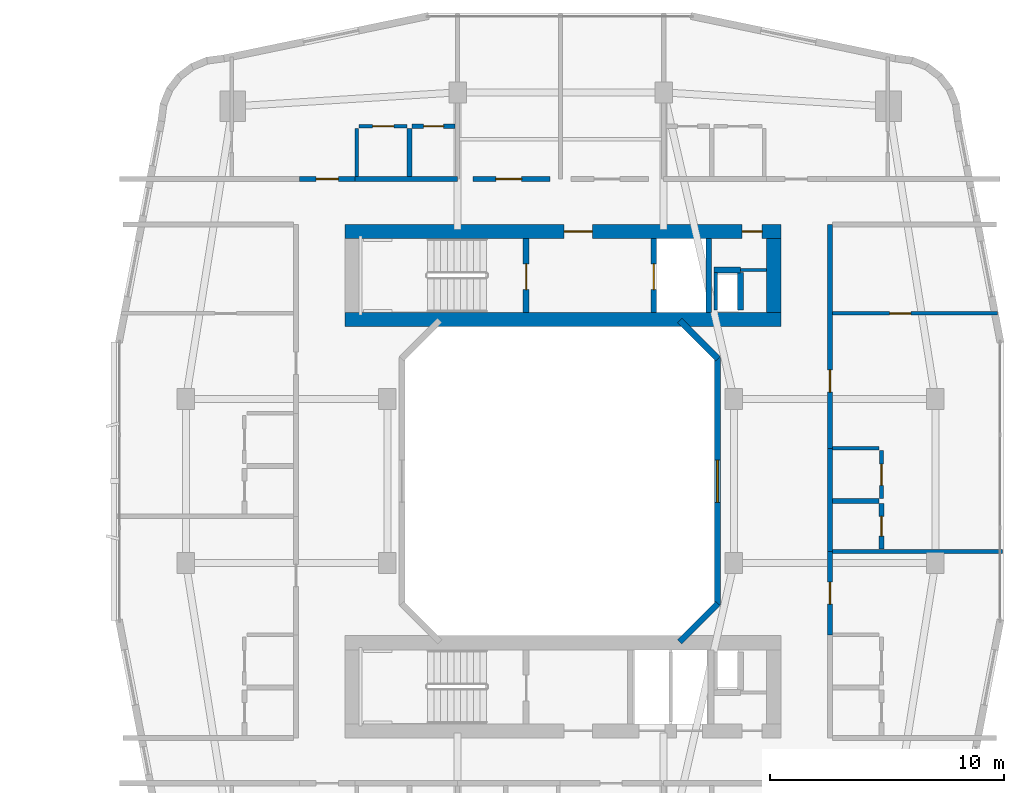
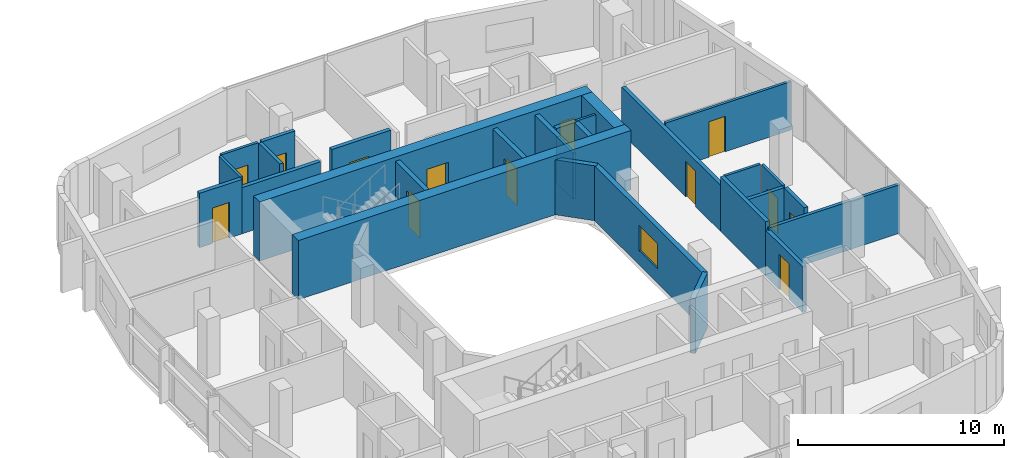
# One storey, part 20 of 27: 29 walls, 13 doors, 1 window, 14 openings.
"""IFC4 building model written with IfcOpenShell, lengths in metres."""

from ifc_helpers import new_model, si_unit, derived_unit, direction, frame, frame_2d, origin, place, context, subcontext, project, spatial, rectangle, extrude, material, layer, layer_set, type_object, element, fill, save


model = new_model("IFC4")

# Units and contexts
model_context = context("Model", 3, precision=1e-05, world=origin(), true_north=direction((0.0, 1.0)))
body_context = subcontext(model_context, "Body", "Model", "MODEL_VIEW")
ifc_project = project(units=[si_unit("LENGTHUNIT", "METRE"), si_unit("AREAUNIT", "SQUARE_METRE"), si_unit("VOLUMEUNIT", "CUBIC_METRE"), si_unit("PLANEANGLEUNIT", "RADIAN"), si_unit("MASSUNIT", "GRAM", prefix="KILO"), derived_unit("THERMALTRANSMITTANCEUNIT", [(si_unit("POWERUNIT", "WATT"), 1), (si_unit("LENGTHUNIT", "METRE"), -2), (si_unit("THERMODYNAMICTEMPERATUREUNIT", "KELVIN"), -1)])], contexts=[model_context])

# Site, building, storey
site_placement = place(None, origin())
site = spatial("IfcSite", under=ifc_project, at=site_placement, CompositionType="ELEMENT")
building_placement = place(site_placement, origin())
building = spatial("IfcBuilding", under=site, at=building_placement, Name="Kivonza Crest Hotel", CompositionType="ELEMENT")
storey_placement = place(building_placement, frame((0.0, 0.0, 41.5)))
storey = spatial("IfcBuildingStorey", under=building, at=storey_placement, Name="L10", CompositionType="ELEMENT", Elevation=41.5)

# Walls
ifc_material_1 = material(Name="High-density acoustic masonry inter-tenancy wall", Category="masonry")
ifc_layer_1 = layer(ifc_material_1, 0.179931640625)
ifc_layer_set_1 = layer_set([ifc_layer_1], Name="High-density acoustic masonry inter-tenancy wall")
wall_type_1 = type_object("IfcWallType", Name="WL-ACOU-180", PredefinedType="SOLIDWALL", material=ifc_layer_set_1)
wall_1_placement = place(storey_placement, frame((88.5, 22.0, 0.0), z_axis=(0.0, 0.0, 1.0), x_axis=(1.0, 0.0, 0.0)))
element("IfcWall", 1, at=wall_1_placement, inside=storey, type_object=wall_type_1, Name="L10 interior partition WA-L10-T2E-DIV1", PredefinedType="SOLIDWALL", context=body_context, shape_type="SweptSolid", body=[
    extrude(rectangle(XDim=7.360107421875, YDim=0.179931640625, at=frame_2d((3.68017578125, 0.0))), origin(), (0.0, 0.0, 1.0), 2.864990234375),
])
ifc_material_2 = material(Name="Autoclaved aerated concrete blockwork", Category="masonry")
ifc_layer_2 = layer(ifc_material_2, 0.219970703125)
ifc_layer_set_2 = layer_set([ifc_layer_2], Name="Autoclaved aerated concrete blockwork")
wall_type_2 = type_object("IfcWallType", Name="WL-ACOU-220", PredefinedType="SOLIDWALL", material=ifc_layer_set_2)
wall_2_placement = place(storey_placement, frame((68.219970703125, 37.89990234375, 0.0), z_axis=(0.0, 0.0, 1.0), x_axis=(1.0, 0.0, 0.0)))
element("IfcWall", 2, at=wall_2_placement, inside=storey, type_object=wall_type_2, Name="L10 interior partition WA-L10-A01-RCORR", PredefinedType="SOLIDWALL", context=body_context, shape_type="SweptSolid", body=[
    extrude(rectangle(XDim=4.380126953125, YDim=0.219970703125, at=frame_2d((2.18994140625, 0.0))), origin(), (0.0, 0.0, 1.0), 2.72509765625),
])

# Wall, opening, door
wall_3_placement = place(storey_placement, frame((65.85009765625, 37.89990234375, 0.0), z_axis=(0.0, 0.0, 1.0), x_axis=(1.0, 0.0, 0.0)))
wall_3 = element("IfcWall", 3, at=wall_3_placement, inside=storey, type_object=wall_type_2, Name="L10 interior partition WA-L10-A01-MCORR", PredefinedType="SOLIDWALL", context=body_context, shape_type="SweptSolid", body=[
    extrude(rectangle(XDim=2.369873046875, YDim=0.219970703125, at=frame_2d((1.18505859375, 0.0))), origin(), (0.0, 0.0, 1.0), 3.219970703125),
])
opening_1_placement = place(wall_3_placement, frame((0.7099609375, 0.0, 0.0)))
opening_1 = element("IfcOpeningElement", 4, at=opening_1_placement, cuts=wall_3, Name="Opening DU-60", PredefinedType="OPENING", context=body_context, shape_type="SweptSolid", body=[
    extrude(rectangle(XDim=0.949951171875, YDim=2.10009765625, at=frame_2d((0.47509765625, 1.050048828125))), frame((0.0, 0.1201171875, 0.0), z_axis=(0.0, -1.0, 0.0), x_axis=(1.0, 0.0, 0.0)), (0.0, 0.0, 1.0), 0.239990234375),
])
ifc_material_3 = material(Name="Hardwood timber oak", Category="wood")
door_type_1 = type_object("IfcDoorType", Name="DR-UNIT-950", OperationType="NOTDEFINED", PredefinedType="DOOR", material=ifc_material_3)
door_1_placement = place(opening_1_placement, origin())
door_1 = element("IfcDoor", 5, at=door_1_placement, inside=storey, type_object=door_type_1, Name="L10 A01 apartment entrance fire door", OperationType="SINGLE_SWING_LEFT", OverallHeight=2.10009765625, OverallWidth=0.949951171875, PredefinedType="DOOR", context=body_context, shape_type="SweptSolid", body=[
    extrude(rectangle(XDim=0.949951171875, YDim=2.10009765625, at=frame_2d((0.47509765625, 1.050048828125))), frame((0.0, 0.02490234375, 0.0), z_axis=(0.0, -1.0, 0.0), x_axis=(1.0, 0.0, 0.0)), (0.0, 0.0, 1.0), 0.050048828125),
])
fill(opening_1, door_1)

wall_4_placement = place(storey_placement, frame((73.25, 37.89990234375, 0.0), z_axis=(0.0, 0.0, 1.0), x_axis=(1.0, 0.0, 0.0)))
wall_4 = element("IfcWall", 6, at=wall_4_placement, inside=storey, type_object=wall_type_2, Name="L10 interior partition WA-L10-T2-OFF1-S", PredefinedType="SOLIDWALL", context=body_context, shape_type="SweptSolid", body=[
    extrude(rectangle(XDim=3.300048828125, YDim=0.219970703125, at=frame_2d((1.64990234375, 0.0))), origin(), (0.0, 0.0, 1.0), 3.219970703125),
])
opening_2_placement = place(wall_4_placement, frame((0.97998046875, 0.0, 0.0)))
opening_2 = element("IfcOpeningElement", 7, at=opening_2_placement, cuts=wall_4, Name="Opening DF-60M", PredefinedType="OPENING", context=body_context, shape_type="SweptSolid", body=[
    extrude(rectangle(XDim=1.10009765625, YDim=2.10009765625, at=frame_2d((0.550048828125, 1.050048828125))), frame((0.0, 0.1201171875, 0.0), z_axis=(0.0, -1.0, 0.0), x_axis=(1.0, 0.0, 0.0)), (0.0, 0.0, 1.0), 0.239990234375),
])
door_type_2 = type_object("IfcDoorType", Name="DR-FD60-1100", OperationType="NOTDEFINED", PredefinedType="DOOR", material=ifc_material_3)
door_2_placement = place(opening_2_placement, origin())
door_2 = element("IfcDoor", 8, at=door_2_placement, inside=storey, type_object=door_type_2, Name="L10 Resident Co-Working Study West door", OperationType="SINGLE_SWING_RIGHT", OverallHeight=2.10009765625, OverallWidth=1.10009765625, PredefinedType="DOOR", context=body_context, shape_type="SweptSolid", body=[
    extrude(rectangle(XDim=1.10009765625, YDim=2.10009765625, at=frame_2d((0.550048828125, 1.050048828125))), frame((0.0, 0.02490234375, 0.0), z_axis=(0.0, -1.0, 0.0), x_axis=(1.0, 0.0, 0.0)), (0.0, 0.0, 1.0), 0.050048828125),
])
fill(opening_2, door_2)

wall_5_placement = place(storey_placement, frame((88.5, 18.43994140625, 0.0), z_axis=(0.0, 0.0, 1.0), x_axis=(0.0, 1.0, 0.0)))
wall_5 = element("IfcWall", 9, at=wall_5_placement, inside=storey, type_object=wall_type_2, Name="L10 interior partition WA-L10-A08-MCORR", PredefinedType="SOLIDWALL", context=body_context, shape_type="SweptSolid", body=[
    extrude(rectangle(XDim=3.56005859375, YDim=0.219970703125, at=frame_2d((1.780029296875, 0.0))), origin(), (0.0, 0.0, 1.0), 2.72509765625),
])
opening_3_placement = place(wall_5_placement, frame((1.304931640625, 0.0, 0.0)))
opening_3 = element("IfcOpeningElement", 10, at=opening_3_placement, cuts=wall_5, Name="Opening DU-60", PredefinedType="OPENING", context=body_context, shape_type="SweptSolid", body=[
    extrude(rectangle(XDim=0.949951171875, YDim=2.10009765625, at=frame_2d((0.47509765625, 1.050048828125))), frame((0.0, 0.1201171875, 0.0), z_axis=(0.0, -1.0, 0.0), x_axis=(1.0, 0.0, 0.0)), (0.0, 0.0, 1.0), 0.239990234375),
])
door_3_placement = place(opening_3_placement, frame((0.949951171875, 0.0, 0.0), z_axis=(0.0, 0.0, 1.0), x_axis=(-1.0, 0.0, 0.0)))
door_3 = element("IfcDoor", 11, at=door_3_placement, inside=storey, type_object=door_type_1, Name="L10 A08 apartment entrance fire door", OperationType="SINGLE_SWING_RIGHT", OverallHeight=2.10009765625, OverallWidth=0.949951171875, PredefinedType="DOOR", context=body_context, shape_type="SweptSolid", body=[
    extrude(rectangle(XDim=0.949951171875, YDim=2.10009765625, at=frame_2d((0.47509765625, 1.050048828125))), frame((0.0, 0.02490234375, 0.0), z_axis=(0.0, -1.0, 0.0), x_axis=(1.0, 0.0, 0.0)), (0.0, 0.0, 1.0), 0.050048828125),
])
fill(opening_3, door_3)

# Wall
wall_6_placement = place(storey_placement, frame((88.5, 22.0, 0.0), z_axis=(0.0, 0.0, 1.0), x_axis=(0.0, 1.0, 0.0)))
element("IfcWall", 12, at=wall_6_placement, inside=storey, type_object=wall_type_2, Name="L10 interior partition WA-L10-A09-BCORR", PredefinedType="SOLIDWALL", context=body_context, shape_type="SweptSolid", body=[
    extrude(rectangle(XDim=4.39990234375, YDim=0.219970703125, at=frame_2d((2.199951171875, 0.0))), origin(), (0.0, 0.0, 1.0), 3.219970703125),
])

# Wall, opening, door
wall_7_placement = place(storey_placement, frame((88.5, 26.39990234375, 0.0), z_axis=(0.0, 0.0, 1.0), x_axis=(0.0, 1.0, 0.0)))
wall_7 = element("IfcWall", 13, at=wall_7_placement, inside=storey, type_object=wall_type_2, Name="L10 interior partition WA-L10-A09-MCORR", PredefinedType="SOLIDWALL", context=body_context, shape_type="SweptSolid", body=[
    extrude(rectangle(XDim=9.56005859375, YDim=0.219970703125, at=frame_2d((4.780029296875, 0.0))), origin(), (0.0, 0.0, 1.0), 2.72509765625),
])
opening_4_placement = place(wall_7_placement, frame((2.405029296875, 0.0, 0.0)))
opening_4 = element("IfcOpeningElement", 14, at=opening_4_placement, cuts=wall_7, Name="Opening DU-60", PredefinedType="OPENING", context=body_context, shape_type="SweptSolid", body=[
    extrude(rectangle(XDim=0.949951171875, YDim=2.10009765625, at=frame_2d((0.47509765625, 1.050048828125))), frame((0.0, 0.1201171875, 0.0), z_axis=(0.0, -1.0, 0.0), x_axis=(1.0, 0.0, 0.0)), (0.0, 0.0, 1.0), 0.239990234375),
])
door_4_placement = place(opening_4_placement, frame((0.949951171875, 0.0, 0.0), z_axis=(0.0, 0.0, 1.0), x_axis=(-1.0, 0.0, 0.0)))
door_4 = element("IfcDoor", 15, at=door_4_placement, inside=storey, type_object=door_type_1, Name="L10 A09 apartment entrance fire door", OperationType="SINGLE_SWING_LEFT", OverallHeight=2.10009765625, OverallWidth=0.949951171875, PredefinedType="DOOR", context=body_context, shape_type="SweptSolid", body=[
    extrude(rectangle(XDim=0.949951171875, YDim=2.10009765625, at=frame_2d((0.47509765625, 1.050048828125))), frame((0.0, 0.02490234375, 0.0), z_axis=(0.0, -1.0, 0.0), x_axis=(1.0, 0.0, 0.0)), (0.0, 0.0, 1.0), 0.050048828125),
])
fill(opening_4, door_4)

# Wall
ifc_material_4 = material(Name="Concrete C60/75", Category="concrete")
ifc_layer_3 = layer(ifc_material_4, 0.60009765625)
ifc_layer_set_3 = layer_set([ifc_layer_3], Name="Concrete C60/75")
wall_type_3 = type_object("IfcWallType", Name="WL-CORE-600", PredefinedType="SHEAR", material=ifc_layer_set_3)
wall_8_placement = place(storey_placement, frame((67.800048828125, 31.89990234375, 0.0), z_axis=(0.0, 0.0, 1.0), x_axis=(1.0, 0.0, 0.0)))
element("IfcWall", 16, at=wall_8_placement, inside=storey, type_object=wall_type_3, Name="Core wall T2-N South L10", PredefinedType="SHEAR", context=body_context, shape_type="SweptSolid", body=[
    extrude(rectangle(XDim=18.599853515625, YDim=0.60009765625, at=frame_2d((9.2998046875, 0.0))), origin(), (0.0, 0.0, 1.0), 3.5),
])

# Wall, openings, doors
wall_9_placement = place(storey_placement, frame((67.800048828125, 35.659912109375, 0.0), z_axis=(0.0, 0.0, 1.0), x_axis=(1.0, 0.0, 0.0)))
wall_9 = element("IfcWall", 17, at=wall_9_placement, inside=storey, type_object=wall_type_3, Name="Core wall T2-N North L10", PredefinedType="SHEAR", context=body_context, shape_type="SweptSolid", body=[
    extrude(rectangle(XDim=18.599853515625, YDim=0.60009765625, at=frame_2d((9.2998046875, 0.0))), origin(), (0.0, 0.0, 1.0), 3.5),
])
opening_5_placement = place(wall_9_placement, frame((9.35009765625, 0.0, 0.0)))
opening_5 = element("IfcOpeningElement", 18, at=opening_5_placement, cuts=wall_9, Name="Opening DF-60", PredefinedType="OPENING", context=body_context, shape_type="SweptSolid", body=[
    extrude(rectangle(XDim=1.199951171875, YDim=2.14990234375, at=frame_2d((0.60009765625, 1.074951171875))), frame((0.0, 0.31005859375, 0.0), z_axis=(0.0, -1.0, 0.0), x_axis=(1.0, 0.0, 0.0)), (0.0, 0.0, 1.0), 0.6201171875),
])
opening_6_placement = place(wall_9_placement, frame((16.949951171875, 0.0, 0.0)))
opening_6 = element("IfcOpeningElement", 19, at=opening_6_placement, cuts=wall_9, Name="Opening DF-60R", PredefinedType="OPENING", context=body_context, shape_type="SweptSolid", body=[
    extrude(rectangle(XDim=0.85009765625, YDim=2.10009765625, at=frame_2d((0.425048828125, 1.050048828125))), frame((0.0, 0.31005859375, 0.0), z_axis=(0.0, -1.0, 0.0), x_axis=(1.0, 0.0, 0.0)), (0.0, 0.0, 1.0), 0.6201171875),
])
door_type_3 = type_object("IfcDoorType", Name="DR-FD60-1200", OperationType="NOTDEFINED", PredefinedType="DOOR", material=ifc_material_3)
door_5_placement = place(opening_5_placement, origin())
door_5 = element("IfcDoor", 20, at=door_5_placement, inside=storey, type_object=door_type_3, Name="L10 T2-N firefighting lobby fire door", OperationType="SINGLE_SWING_RIGHT", OverallHeight=2.14990234375, OverallWidth=1.199951171875, PredefinedType="DOOR", context=body_context, shape_type="SweptSolid", body=[
    extrude(rectangle(XDim=1.199951171875, YDim=2.14990234375, at=frame_2d((0.60009765625, 1.074951171875))), frame((0.0, 0.02490234375, 0.0), z_axis=(0.0, -1.0, 0.0), x_axis=(1.0, 0.0, 0.0)), (0.0, 0.0, 1.0), 0.050048828125),
])
fill(opening_5, door_5)
door_type_4 = type_object("IfcDoorType", Name="DR-FD60-850", OperationType="NOTDEFINED", PredefinedType="DOOR", material=ifc_material_3)
door_6_placement = place(opening_6_placement, origin())
door_6 = element("IfcDoor", 21, at=door_6_placement, inside=storey, type_object=door_type_4, Name="L10 T2-N core room door", OperationType="SINGLE_SWING_RIGHT", OverallHeight=2.10009765625, OverallWidth=0.85009765625, PredefinedType="DOOR", context=body_context, shape_type="SweptSolid", body=[
    extrude(rectangle(XDim=0.85009765625, YDim=2.10009765625, at=frame_2d((0.425048828125, 1.050048828125))), frame((0.0, 0.02490234375, 0.0), z_axis=(0.0, -1.0, 0.0), x_axis=(1.0, 0.0, 0.0)), (0.0, 0.0, 1.0), 0.050048828125),
])
fill(opening_6, door_6)

# Walls
wall_10_placement = place(storey_placement, frame((86.10009765625, 32.199951171875, 0.0), z_axis=(0.0, 0.0, 1.0), x_axis=(0.0, 1.0, 0.0)))
element("IfcWall", 22, at=wall_10_placement, inside=storey, type_object=wall_type_3, Name="Core wall T2-N East L10", PredefinedType="SHEAR", context=body_context, shape_type="SweptSolid", body=[
    extrude(rectangle(XDim=3.16015625, YDim=0.60009765625, at=frame_2d((1.580078125, 0.0))), origin(), (0.0, 0.0, 1.0), 3.5),
])
ifc_material_5 = material(Name="Precast concrete C40/50", Category="concrete")
ifc_layer_4 = layer(ifc_material_5, 0.260009765625)
ifc_layer_set_4 = layer_set([ifc_layer_4], Name="Precast concrete C40/50")
wall_type_4 = type_object("IfcWallType", Name="WL-EXT-260", PredefinedType="STANDARD", material=ifc_layer_set_4)
wall_11_placement = place(storey_placement, frame((82.08203125, 18.137939453125, 0.0), z_axis=(0.0, 0.0, 1.0), x_axis=(0.707106781187, 0.707106781187, 0.0)))
element("IfcWall", 23, at=wall_11_placement, inside=storey, type_object=wall_type_4, Name="L10 T2 light-well exterior wall 2", PredefinedType="STANDARD", context=body_context, shape_type="SweptSolid", body=[
    extrude(rectangle(XDim=2.310791015625, YDim=0.260009765625, at=frame_2d((1.1552734375, 0.0))), origin(), (0.0, 0.0, 1.0), 3.25),
])

# Wall, opening, window
wall_12_placement = place(storey_placement, frame((83.68994140625, 19.7099609375, 0.0), z_axis=(0.0, 0.0, 1.0), x_axis=(0.0, 1.0, 0.0)))
wall_12 = element("IfcWall", 24, at=wall_12_placement, inside=storey, type_object=wall_type_4, Name="L10 T2 light-well exterior wall 3", PredefinedType="STANDARD", context=body_context, shape_type="SweptSolid", body=[
    extrude(rectangle(XDim=10.580078125, YDim=0.260009765625, at=frame_2d((5.2900390625, 0.0))), origin(), (0.0, 0.0, 1.0), 3.25),
])
opening_7_placement = place(wall_12_placement, frame((4.389892578125, 0.0, 0.85009765625)))
opening_7 = element("IfcOpeningElement", 25, at=opening_7_placement, cuts=wall_12, Name="Opening WN-03", PredefinedType="OPENING", context=body_context, shape_type="SweptSolid", body=[
    extrude(rectangle(XDim=1.800048828125, YDim=1.5, at=frame_2d((0.89990234375, 0.75))), frame((0.0, 0.14013671875, 0.0), z_axis=(0.0, -1.0, 0.0), x_axis=(1.0, 0.0, 0.0)), (0.0, 0.0, 1.0), 0.280029296875),
])
ifc_material_6 = material(Name="Thermally broken bronze aluminium and low-E double glazing", Category="aluminium")
window_type = type_object("IfcWindowType", Name="WN-180x150", PartitioningType="DOUBLE_PANEL_VERTICAL", PredefinedType="WINDOW", material=ifc_material_6)
window_placement = place(opening_7_placement, origin())
window = element("IfcWindow", 26, at=window_placement, inside=storey, type_object=window_type, Name="L10 T2 light-well window 3", OverallHeight=1.5, OverallWidth=1.800048828125, PartitioningType="SINGLE_PANEL", PredefinedType="WINDOW", context=body_context, shape_type="SweptSolid", body=[
    extrude(rectangle(XDim=1.800048828125, YDim=1.5, at=frame_2d((0.89990234375, 0.75))), frame((0.0, 0.030029296875, 0.0), z_axis=(0.0, -1.0, 0.0), x_axis=(1.0, 0.0, 0.0)), (0.0, 0.0, 1.0), 0.06005859375),
])
fill(opening_7, window)

# Walls
wall_13_placement = place(storey_placement, frame((83.716064453125, 30.22802734375, 0.0), z_axis=(0.0, 0.0, 1.0), x_axis=(-0.707106781187, 0.707106781187, 0.0)))
element("IfcWall", 27, at=wall_13_placement, inside=storey, type_object=wall_type_4, Name="L10 T2 light-well exterior wall 4", PredefinedType="STANDARD", context=body_context, shape_type="SweptSolid", body=[
    extrude(rectangle(XDim=2.310791015625, YDim=0.260009765625, at=frame_2d((1.1552734375, 0.0))), origin(), (0.0, 0.0, 1.0), 3.25),
])
ifc_material_7 = material(Name="Concrete blockwork fire-compartment wall", Category="masonry")
ifc_layer_5 = layer(ifc_material_7, 0.25)
ifc_layer_set_5 = layer_set([ifc_layer_5], Name="Concrete blockwork fire-compartment wall")
wall_type_5 = type_object("IfcWallType", Name="WL-FIRE-250", PredefinedType="SOLIDWALL", material=ifc_layer_set_5)
wall_14_placement = place(storey_placement, frame((84.679931640625, 32.300048828125, 0.0), z_axis=(0.0, 0.0, 1.0), x_axis=(0.0, 1.0, 0.0)))
element("IfcWall", 28, at=wall_14_placement, inside=storey, type_object=wall_type_5, Name="L10 interior partition WA-L10-T2-N-MEPR-E", PredefinedType="SOLIDWALL", context=body_context, shape_type="SweptSolid", body=[
    extrude(rectangle(XDim=1.619873046875, YDim=0.25, at=frame_2d((0.81005859375, 0.0))), origin(), (0.0, 0.0, 1.0), 3.219970703125),
])
wall_15_placement = place(storey_placement, frame((83.550048828125, 34.02001953125, 0.0), z_axis=(0.0, 0.0, 1.0), x_axis=(1.0, 0.0, 0.0)))
element("IfcWall", 29, at=wall_15_placement, inside=storey, type_object=wall_type_5, Name="L10 interior partition WA-L10-T2-N-MEPR-H", PredefinedType="SOLIDWALL", context=body_context, shape_type="SweptSolid", body=[
    extrude(rectangle(XDim=1.1298828125, YDim=0.25, at=frame_2d((0.56494140625, 0.0))), origin(), (0.0, 0.0, 1.0), 3.219970703125),
])
ifc_material_8 = material(Name="Metal-stud gypsum board partition", Category="gypsum")
ifc_layer_6 = layer(ifc_material_8, 0.125)
ifc_layer_set_6 = layer_set([ifc_layer_6], Name="Metal-stud gypsum board partition")
wall_type_6 = type_object("IfcWallType", Name="WL-PART-125", PredefinedType="PARTITIONING", material=ifc_layer_set_6)
wall_16_placement = place(storey_placement, frame((84.679931640625, 34.02001953125, 0.0), z_axis=(0.0, 0.0, 1.0), x_axis=(1.0, 0.0, 0.0)))
element("IfcWall", 30, at=wall_16_placement, inside=storey, type_object=wall_type_6, Name="L10 interior partition WP-L10-T2-N-T2H", PredefinedType="PARTITIONING", context=body_context, shape_type="SweptSolid", body=[
    extrude(rectangle(XDim=1.1201171875, YDim=0.125, at=frame_2d((0.56005859375, 0.0))), origin(), (0.0, 0.0, 1.0), 3.219970703125),
])
ifc_material_9 = material(Name="Twin-stud acoustic gypsum board partition", Category="gypsum")
ifc_layer_7 = layer(ifc_material_9, 0.14990234375)
ifc_layer_set_7 = layer_set([ifc_layer_7], Name="Twin-stud acoustic gypsum board partition")
wall_type_7 = type_object("IfcWallType", Name="WL-PART-150", PredefinedType="PARTITIONING", material=ifc_layer_set_7)
wall_17_placement = place(storey_placement, frame((83.6298828125, 32.300048828125, 0.0), z_axis=(0.0, 0.0, 1.0), x_axis=(0.0, 1.0, 0.0)))
element("IfcWall", 31, at=wall_17_placement, inside=storey, type_object=wall_type_7, Name="L10 interior partition WA-L10-T2-N-MEPR-W", PredefinedType="PARTITIONING", context=body_context, shape_type="SweptSolid", body=[
    extrude(rectangle(XDim=1.619873046875, YDim=0.14990234375, at=frame_2d((0.81005859375, 0.0))), origin(), (0.0, 0.0, 1.0), 2.72509765625),
])
wall_18_placement = place(storey_placement, frame((68.300048828125, 38.0, 0.0), z_axis=(0.0, 0.0, 1.0), x_axis=(0.0, 1.0, 0.0)))
element("IfcWall", 32, at=wall_18_placement, inside=storey, type_object=wall_type_7, Name="L10 interior partition WP-L10-A01-KF", PredefinedType="PARTITIONING", context=body_context, shape_type="SweptSolid", body=[
    extrude(rectangle(XDim=2.050048828125, YDim=0.14990234375, at=frame_2d((1.02490234375, 0.0))), origin(), (0.0, 0.0, 1.0), 3.219970703125),
])

# Wall, opening, door
wall_19_placement = place(storey_placement, frame((68.39990234375, 40.14990234375, 0.0), z_axis=(0.0, 0.0, 1.0), x_axis=(1.0, 0.0, 0.0)))
wall_19 = element("IfcWall", 33, at=wall_19_placement, inside=storey, type_object=wall_type_7, Name="L10 interior partition WP-L10-A01-KSVC", PredefinedType="PARTITIONING", context=body_context, shape_type="SweptSolid", body=[
    extrude(rectangle(XDim=2.050048828125, YDim=0.14990234375, at=frame_2d((1.02490234375, 0.0))), origin(), (0.0, 0.0, 1.0), 3.219970703125),
])
opening_8_placement = place(wall_19_placement, frame((0.574951171875, 0.0, 0.0)))
opening_8 = element("IfcOpeningElement", 34, at=opening_8_placement, cuts=wall_19, Name="Opening DI-90", PredefinedType="OPENING", context=body_context, shape_type="SweptSolid", body=[
    extrude(rectangle(XDim=0.89990234375, YDim=2.10009765625, at=frame_2d((0.449951171875, 1.050048828125))), frame((0.0, 0.0849609375, 0.0), z_axis=(0.0, -1.0, 0.0), x_axis=(1.0, 0.0, 0.0)), (0.0, 0.0, 1.0), 0.169921875),
])
door_type_5 = type_object("IfcDoorType", Name="DR-INT-900", OperationType="NOTDEFINED", PredefinedType="DOOR", material=ifc_material_3)
door_7_placement = place(opening_8_placement, origin())
door_7 = element("IfcDoor", 35, at=door_7_placement, inside=storey, type_object=door_type_5, Name="L10 A01 apartment kitchen door", OperationType="SINGLE_SWING_LEFT", OverallHeight=2.10009765625, OverallWidth=0.89990234375, PredefinedType="DOOR", context=body_context, shape_type="SweptSolid", body=[
    extrude(rectangle(XDim=0.89990234375, YDim=2.10009765625, at=frame_2d((0.449951171875, 1.050048828125))), frame((0.0, 0.02490234375, 0.0), z_axis=(0.0, -1.0, 0.0), x_axis=(1.0, 0.0, 0.0)), (0.0, 0.0, 1.0), 0.050048828125),
])
fill(opening_8, door_7)

wall_20_placement = place(storey_placement, frame((88.60009765625, 32.159912109375, 0.0), z_axis=(0.0, 0.0, 1.0), x_axis=(1.0, 0.0, 0.0)))
wall_20 = element("IfcWall", 36, at=wall_20_placement, inside=storey, type_object=wall_type_7, Name="L10 interior partition WP-L10-A09-BD1", PredefinedType="PARTITIONING", context=body_context, shape_type="SweptSolid", body=[
    extrude(rectangle(XDim=7.059814453125, YDim=0.14990234375, at=frame_2d((3.52978515625, 0.0))), origin(), (0.0, 0.0, 1.0), 2.864990234375),
])
opening_9_placement = place(wall_20_placement, frame((2.449951171875, 0.0, 0.0)))
opening_9 = element("IfcOpeningElement", 37, at=opening_9_placement, cuts=wall_20, Name="Opening DI-90", PredefinedType="OPENING", context=body_context, shape_type="SweptSolid", body=[
    extrude(rectangle(XDim=0.89990234375, YDim=2.10009765625, at=frame_2d((0.449951171875, 1.050048828125))), frame((0.0, 0.0849609375, 0.0), z_axis=(0.0, -1.0, 0.0), x_axis=(1.0, 0.0, 0.0)), (0.0, 0.0, 1.0), 0.169921875),
])
door_8_placement = place(opening_9_placement, origin())
door_8 = element("IfcDoor", 38, at=door_8_placement, inside=storey, type_object=door_type_5, Name="L10 A09 bedroom door", OperationType="SINGLE_SWING_RIGHT", OverallHeight=2.10009765625, OverallWidth=0.89990234375, PredefinedType="DOOR", context=body_context, shape_type="SweptSolid", body=[
    extrude(rectangle(XDim=0.89990234375, YDim=2.10009765625, at=frame_2d((0.449951171875, 1.050048828125))), frame((0.0, 0.02490234375, 0.0), z_axis=(0.0, -1.0, 0.0), x_axis=(1.0, 0.0, 0.0)), (0.0, 0.0, 1.0), 0.050048828125),
])
fill(opening_9, door_8)

# Wall
wall_21_placement = place(storey_placement, frame((88.60009765625, 26.39990234375, 0.0), z_axis=(0.0, 0.0, 1.0), x_axis=(1.0, 0.0, 0.0)))
element("IfcWall", 39, at=wall_21_placement, inside=storey, type_object=wall_type_7, Name="L10 interior partition WP-L10-A09-KF", PredefinedType="PARTITIONING", context=body_context, shape_type="SweptSolid", body=[
    extrude(rectangle(XDim=2.0, YDim=0.14990234375, at=frame_2d((1.0, 0.0))), origin(), (0.0, 0.0, 1.0), 3.219970703125),
])

# Wall, opening, door
wall_22_placement = place(storey_placement, frame((90.699951171875, 24.25, 0.0), z_axis=(0.0, 0.0, 1.0), x_axis=(0.0, 1.0, 0.0)))
wall_22 = element("IfcWall", 40, at=wall_22_placement, inside=storey, type_object=wall_type_7, Name="L10 interior partition WP-L10-A09-KSVC", PredefinedType="PARTITIONING", context=body_context, shape_type="SweptSolid", body=[
    extrude(rectangle(XDim=2.050048828125, YDim=0.14990234375, at=frame_2d((1.02490234375, 0.0))), origin(), (0.0, 0.0, 1.0), 3.219970703125),
])
opening_10_placement = place(wall_22_placement, frame((0.574951171875, 0.0, 0.0)))
opening_10 = element("IfcOpeningElement", 41, at=opening_10_placement, cuts=wall_22, Name="Opening DI-90", PredefinedType="OPENING", context=body_context, shape_type="SweptSolid", body=[
    extrude(rectangle(XDim=0.89990234375, YDim=2.10009765625, at=frame_2d((0.449951171875, 1.050048828125))), frame((0.0, 0.0849609375, 0.0), z_axis=(0.0, -1.0, 0.0), x_axis=(1.0, 0.0, 0.0)), (0.0, 0.0, 1.0), 0.169921875),
])
door_9_placement = place(opening_10_placement, frame((0.89990234375, 0.0, 0.0), z_axis=(0.0, 0.0, 1.0), x_axis=(-1.0, 0.0, 0.0)))
door_9 = element("IfcDoor", 42, at=door_9_placement, inside=storey, type_object=door_type_5, Name="L10 A09 apartment kitchen door", OperationType="SINGLE_SWING_LEFT", OverallHeight=2.10009765625, OverallWidth=0.89990234375, PredefinedType="DOOR", context=body_context, shape_type="SweptSolid", body=[
    extrude(rectangle(XDim=0.89990234375, YDim=2.10009765625, at=frame_2d((0.449951171875, 1.050048828125))), frame((0.0, 0.02490234375, 0.0), z_axis=(0.0, -1.0, 0.0), x_axis=(1.0, 0.0, 0.0)), (0.0, 0.0, 1.0), 0.050048828125),
])
fill(opening_10, door_9)

# Wall
ifc_material_10 = material(Name="Moisture-resistant plumbing chase partition wall", Category="gypsum")
ifc_layer_8 = layer(ifc_material_10, 0.199951171875)
ifc_layer_set_8 = layer_set([ifc_layer_8], Name="Moisture-resistant plumbing chase partition wall")
wall_type_8 = type_object("IfcWallType", Name="WL-PLUMB-200", PredefinedType="PLUMBINGWALL", material=ifc_layer_set_8)
wall_23_placement = place(storey_placement, frame((70.550048828125, 38.0, 0.0), z_axis=(0.0, 0.0, 1.0), x_axis=(0.0, 1.0, 0.0)))
element("IfcWall", 43, at=wall_23_placement, inside=storey, type_object=wall_type_8, Name="L10 interior partition WW-L10-A01-BK", PredefinedType="PLUMBINGWALL", context=body_context, shape_type="SweptSolid", body=[
    extrude(rectangle(XDim=2.050048828125, YDim=0.199951171875, at=frame_2d((1.02490234375, 0.0))), origin(), (0.0, 0.0, 1.0), 3.219970703125),
])

# Wall, opening, door
wall_24_placement = place(storey_placement, frame((70.64990234375, 40.14990234375, 0.0), z_axis=(0.0, 0.0, 1.0), x_axis=(1.0, 0.0, 0.0)))
wall_24 = element("IfcWall", 44, at=wall_24_placement, inside=storey, type_object=wall_type_8, Name="L10 interior partition WW-L10-A01-BSVC", PredefinedType="PLUMBINGWALL", context=body_context, shape_type="SweptSolid", body=[
    extrude(rectangle(XDim=1.85009765625, YDim=0.199951171875, at=frame_2d((0.925048828125, 0.0))), origin(), (0.0, 0.0, 1.0), 3.219970703125),
])
opening_11_placement = place(wall_24_placement, frame((0.5, 0.0, 0.0)))
opening_11 = element("IfcOpeningElement", 45, at=opening_11_placement, cuts=wall_24, Name="Opening DI-85", PredefinedType="OPENING", context=body_context, shape_type="SweptSolid", body=[
    extrude(rectangle(XDim=0.85009765625, YDim=2.10009765625, at=frame_2d((0.425048828125, 1.050048828125))), frame((0.0, 0.10986328125, 0.0), z_axis=(0.0, -1.0, 0.0), x_axis=(1.0, 0.0, 0.0)), (0.0, 0.0, 1.0), 0.219970703125),
])
door_type_6 = type_object("IfcDoorType", Name="DR-INT-850", OperationType="NOTDEFINED", PredefinedType="DOOR", material=ifc_material_3)
door_10_placement = place(opening_11_placement, origin())
door_10 = element("IfcDoor", 46, at=door_10_placement, inside=storey, type_object=door_type_6, Name="L10 A01 apartment bathroom door", OperationType="SINGLE_SWING_RIGHT", OverallHeight=2.10009765625, OverallWidth=0.85009765625, PredefinedType="DOOR", context=body_context, shape_type="SweptSolid", body=[
    extrude(rectangle(XDim=0.85009765625, YDim=2.10009765625, at=frame_2d((0.425048828125, 1.050048828125))), frame((0.0, 0.02490234375, 0.0), z_axis=(0.0, -1.0, 0.0), x_axis=(1.0, 0.0, 0.0)), (0.0, 0.0, 1.0), 0.050048828125),
])
fill(opening_11, door_10)

# Wall
wall_25_placement = place(storey_placement, frame((88.60009765625, 24.14990234375, 0.0), z_axis=(0.0, 0.0, 1.0), x_axis=(1.0, 0.0, 0.0)))
element("IfcWall", 47, at=wall_25_placement, inside=storey, type_object=wall_type_8, Name="L10 interior partition WW-L10-A09-BK", PredefinedType="PLUMBINGWALL", context=body_context, shape_type="SweptSolid", body=[
    extrude(rectangle(XDim=2.0, YDim=0.199951171875, at=frame_2d((1.0, 0.0))), origin(), (0.0, 0.0, 1.0), 3.219970703125),
])

# Wall, opening, door
wall_26_placement = place(storey_placement, frame((90.699951171875, 22.10009765625, 0.0), z_axis=(0.0, 0.0, 1.0), x_axis=(0.0, 1.0, 0.0)))
wall_26 = element("IfcWall", 48, at=wall_26_placement, inside=storey, type_object=wall_type_8, Name="L10 interior partition WW-L10-A09-BSVC", PredefinedType="PLUMBINGWALL", context=body_context, shape_type="SweptSolid", body=[
    extrude(rectangle(XDim=1.949951171875, YDim=0.199951171875, at=frame_2d((0.97509765625, 0.0))), origin(), (0.0, 0.0, 1.0), 3.219970703125),
])
opening_12_placement = place(wall_26_placement, frame((0.550048828125, 0.0, 0.0)))
opening_12 = element("IfcOpeningElement", 49, at=opening_12_placement, cuts=wall_26, Name="Opening DI-85", PredefinedType="OPENING", context=body_context, shape_type="SweptSolid", body=[
    extrude(rectangle(XDim=0.85009765625, YDim=2.10009765625, at=frame_2d((0.425048828125, 1.050048828125))), frame((0.0, 0.10986328125, 0.0), z_axis=(0.0, -1.0, 0.0), x_axis=(1.0, 0.0, 0.0)), (0.0, 0.0, 1.0), 0.219970703125),
])
door_11_placement = place(opening_12_placement, frame((0.85009765625, 0.0, 0.0), z_axis=(0.0, 0.0, 1.0), x_axis=(-1.0, 0.0, 0.0)))
door_11 = element("IfcDoor", 50, at=door_11_placement, inside=storey, type_object=door_type_6, Name="L10 A09 apartment bathroom door", OperationType="SINGLE_SWING_RIGHT", OverallHeight=2.10009765625, OverallWidth=0.85009765625, PredefinedType="DOOR", context=body_context, shape_type="SweptSolid", body=[
    extrude(rectangle(XDim=0.85009765625, YDim=2.10009765625, at=frame_2d((0.425048828125, 1.050048828125))), frame((0.0, 0.02490234375, 0.0), z_axis=(0.0, -1.0, 0.0), x_axis=(1.0, 0.0, 0.0)), (0.0, 0.0, 1.0), 0.050048828125),
])
fill(opening_12, door_11)

ifc_material_11 = material(Name="Concrete C50/60", Category="concrete")
ifc_layer_9 = layer(ifc_material_11, 0.25)
ifc_layer_set_9 = layer_set([ifc_layer_9], Name="Concrete C50/60")
wall_type_9 = type_object("IfcWallType", Name="WL-SHAFT-250", PredefinedType="STANDARD", material=ifc_layer_set_9)
wall_27_placement = place(storey_placement, frame((75.52490234375, 32.199951171875, 0.0), z_axis=(0.0, 0.0, 1.0), x_axis=(0.0, 1.0, 0.0)))
wall_27 = element("IfcWall", 51, at=wall_27_placement, inside=storey, type_object=wall_type_9, Name="Core shaft wall T2-N STAIR L10", PredefinedType="STANDARD", context=body_context, shape_type="SweptSolid", body=[
    extrude(rectangle(XDim=3.16015625, YDim=0.25, at=frame_2d((1.580078125, 0.0))), origin(), (0.0, 0.0, 1.0), 3.25),
])
opening_13_placement = place(wall_27_placement, frame((0.97998046875, 0.0, 0.0)))
opening_13 = element("IfcOpeningElement", 52, at=opening_13_placement, cuts=wall_27, Name="Opening DF-120", PredefinedType="OPENING", context=body_context, shape_type="SweptSolid", body=[
    extrude(rectangle(XDim=1.10009765625, YDim=2.14990234375, at=frame_2d((0.550048828125, 1.074951171875))), frame((0.0, 0.135009765625, 0.0), z_axis=(0.0, -1.0, 0.0), x_axis=(1.0, 0.0, 0.0)), (0.0, 0.0, 1.0), 0.27001953125),
])
ifc_material_12 = material(Name="Galvanised steel", Category="steel")
door_type_7 = type_object("IfcDoorType", Name="DR-FD120-1100", OperationType="NOTDEFINED", PredefinedType="DOOR", material=ifc_material_12)
door_12_placement = place(opening_13_placement, frame((1.10009765625, 0.0, 0.0), z_axis=(0.0, 0.0, 1.0), x_axis=(-1.0, 0.0, 0.0)))
door_12 = element("IfcDoor", 53, at=door_12_placement, inside=storey, type_object=door_type_7, Name="L10 T2-N stair fire door", OperationType="SINGLE_SWING_LEFT", OverallHeight=2.14990234375, OverallWidth=1.10009765625, PredefinedType="DOOR", context=body_context, shape_type="SweptSolid", body=[
    extrude(rectangle(XDim=1.10009765625, YDim=2.14990234375, at=frame_2d((0.550048828125, 1.074951171875))), frame((0.0, 0.02490234375, 0.0), z_axis=(0.0, -1.0, 0.0), x_axis=(1.0, 0.0, 0.0)), (0.0, 0.0, 1.0), 0.050048828125),
])
fill(opening_13, door_12)

wall_28_placement = place(storey_placement, frame((80.97509765625, 32.199951171875, 0.0), z_axis=(0.0, 0.0, 1.0), x_axis=(0.0, 1.0, 0.0)))
wall_28 = element("IfcWall", 54, at=wall_28_placement, inside=storey, type_object=wall_type_9, Name="Core shaft wall T2-N FFL-W L10", PredefinedType="STANDARD", context=body_context, shape_type="SweptSolid", body=[
    extrude(rectangle(XDim=3.16015625, YDim=0.25, at=frame_2d((1.580078125, 0.0))), origin(), (0.0, 0.0, 1.0), 3.25),
])
opening_14_placement = place(wall_28_placement, frame((0.97998046875, 0.0, 0.0)))
opening_14 = element("IfcOpeningElement", 55, at=opening_14_placement, cuts=wall_28, Name="Opening LD-120", PredefinedType="OPENING", context=body_context, shape_type="SweptSolid", body=[
    extrude(rectangle(XDim=1.10009765625, YDim=2.14990234375, at=frame_2d((0.550048828125, 1.074951171875))), frame((0.0, 0.135009765625, 0.0), z_axis=(0.0, -1.0, 0.0), x_axis=(1.0, 0.0, 0.0)), (0.0, 0.0, 1.0), 0.27001953125),
])
ifc_material_13 = material(Name="Stainless steel", Category="steel")
door_type_8 = type_object("IfcDoorType", Name="DR-LD120-1100", OperationType="NOTDEFINED", PredefinedType="DOOR", material=ifc_material_13)
door_13_placement = place(opening_14_placement, origin())
door_13 = element("IfcDoor", 56, at=door_13_placement, inside=storey, type_object=door_type_8, Name="L10 FFL-T2 firefighting lift sliding landing door", OperationType="DOUBLE_DOOR_SLIDING", OverallHeight=2.14990234375, OverallWidth=1.10009765625, PredefinedType="DOOR", context=body_context, shape_type="SweptSolid", body=[
    extrude(rectangle(XDim=1.10009765625, YDim=2.14990234375, at=frame_2d((0.550048828125, 1.074951171875))), frame((0.0, 0.02490234375, 0.0), z_axis=(0.0, -1.0, 0.0), x_axis=(1.0, 0.0, 0.0)), (0.0, 0.0, 1.0), 0.050048828125),
])
fill(opening_14, door_13)

# Wall
wall_29_placement = place(storey_placement, frame((83.324951171875, 32.199951171875, 0.0), z_axis=(0.0, 0.0, 1.0), x_axis=(0.0, 1.0, 0.0)))
element("IfcWall", 57, at=wall_29_placement, inside=storey, type_object=wall_type_9, Name="Core shaft wall T2-N FFL-E L10", PredefinedType="STANDARD", context=body_context, shape_type="SweptSolid", body=[
    extrude(rectangle(XDim=3.16015625, YDim=0.25, at=frame_2d((1.580078125, 0.0))), origin(), (0.0, 0.0, 1.0), 3.25),
])

save(model, "model.ifc")
